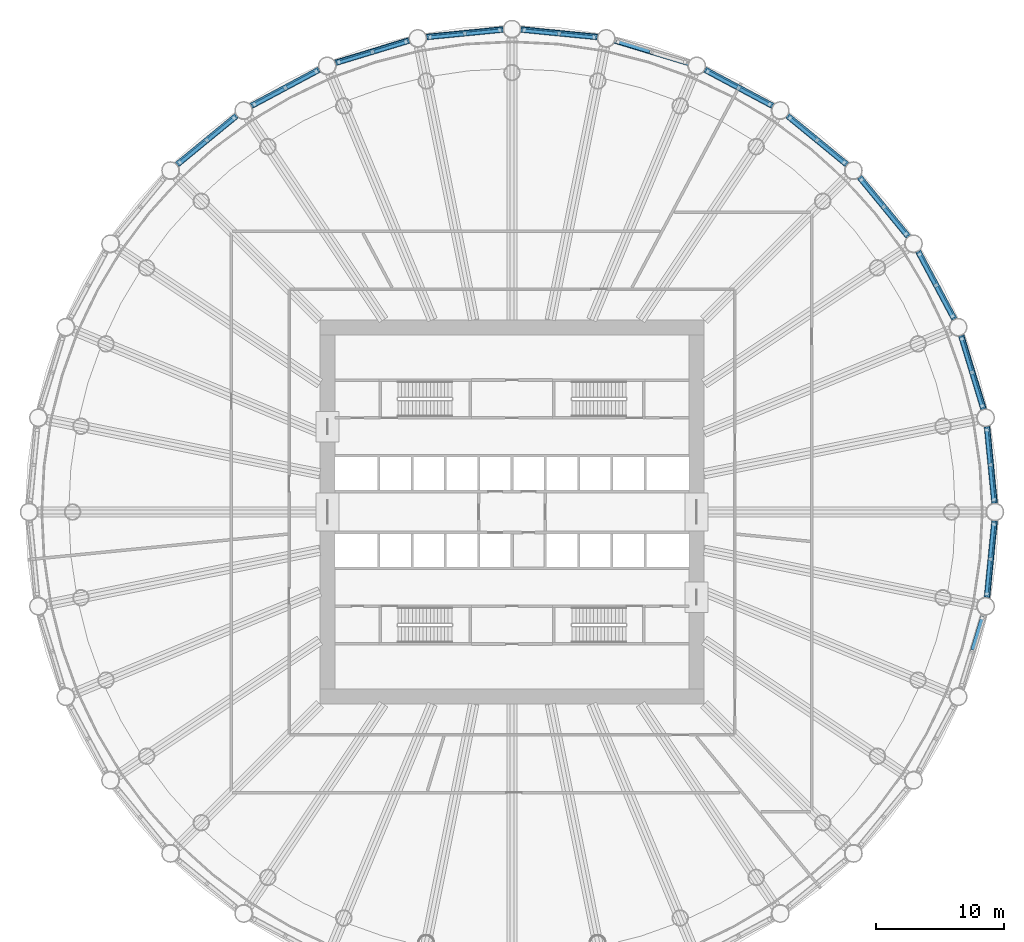
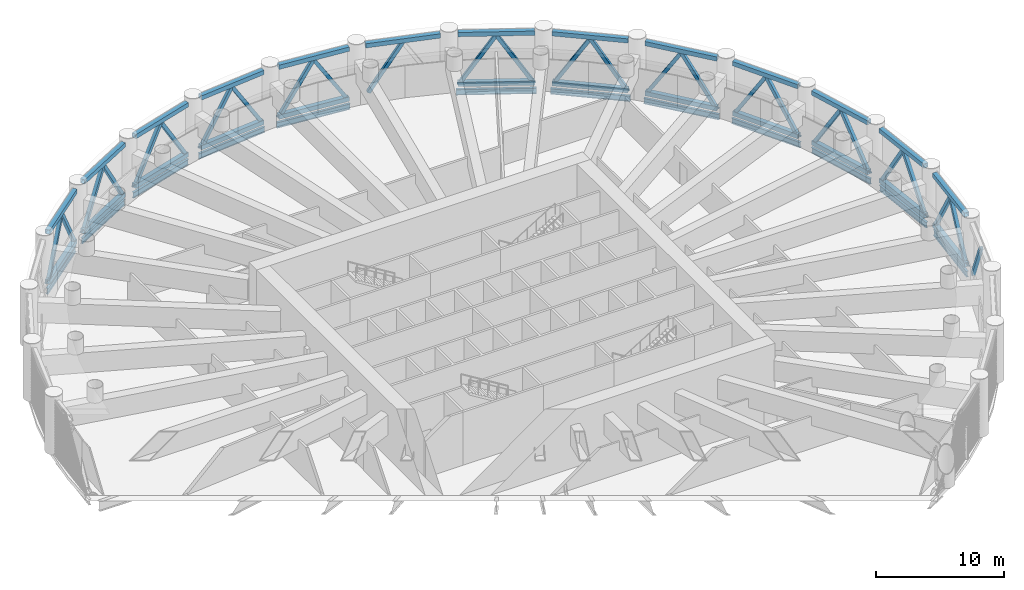
# One storey, part 4 of 26: 63 members, 12 beams, 12 elements without a shape of their own.
"""IFC4 building model written with IfcOpenShell, lengths in metres."""

import ifcopenshell
import ifcopenshell.guid

model = None  # the IFC model being written
_history = None  # IfcOwnerHistory: only IFC2X3 demands one
_inside = {}  # id of a spatial element -> (the spatial element, [elements in it])
_under = {}  # id of a project, library or spatial element -> (it, [spatial elements below it])
_declared = {}  # id of a project -> (the project, [libraries it declares])
_typed = {}  # id of a type object -> (the type object, [elements of that type])
_made_of = {}  # id of a material, layer set ... -> (it, [elements and type objects made of it])


def new_model(schema):
    """Start an empty IFC model of exactly this schema.

    Asked for "IFC4X3", IfcOpenShell would pick the latest addendum, in which some entities
    have other attributes; the version numbers below select the first issue.
    IFC2X3 requires an IfcOwnerHistory on every rooted entity: one is made here for all.
    """
    global model, _history
    if schema == "IFC4X3":
        model = ifcopenshell.file(schema_version=(4, 3, 0, 0))
    else:
        model = ifcopenshell.file(schema=schema)
    _inside.clear()
    _under.clear()
    _declared.clear()
    _typed.clear()
    _made_of.clear()
    _history = None
    if model.schema == "IFC2X3":
        org = make("IfcOrganization", Name="unknown")
        user = make(
            "IfcPersonAndOrganization",
            ThePerson=make("IfcPerson", FamilyName="unknown"),
            TheOrganization=org,
        )
        app = make(
            "IfcApplication",
            ApplicationDeveloper=org,
            Version="unknown",
            ApplicationFullName="unknown",
            ApplicationIdentifier="unknown",
        )
        _history = make(
            "IfcOwnerHistory",
            OwningUser=user,
            OwningApplication=app,
            ChangeAction="ADDED",
            CreationDate=0,
        )
    return model


def make(cls, **values):
    """One entity of the class cls with the attributes given. An attribute that is None is left unset."""
    return model.create_entity(
        cls, **{name: value for name, value in values.items() if value is not None}
    )


def rooted(cls, **values):
    """An entity with a GlobalId (a new one), such as an element, a storey or a relation."""
    return make(cls, GlobalId=ifcopenshell.guid.new(), OwnerHistory=_history, **values)


def si_unit(unit_type, name, prefix=None):
    """IfcSIUnit, for example si_unit("LENGTHUNIT", "METRE", prefix="MILLI")."""
    return make("IfcSIUnit", UnitType=unit_type, Prefix=prefix, Name=name)


def assignment(units):
    """IfcUnitAssignment: the units of a project."""
    return None if units is None else make("IfcUnitAssignment", Units=units)


def point(xyz):
    """IfcCartesianPoint."""
    return None if xyz is None else make("IfcCartesianPoint", Coordinates=xyz)


def direction(xyz):
    """IfcDirection."""
    return None if xyz is None else make("IfcDirection", DirectionRatios=xyz)


def frame(location, z_axis=None, x_axis=None):
    """IfcAxis2Placement3D, a coordinate frame: its origin and axes. An axis left out is left unset."""
    return make(
        "IfcAxis2Placement3D",
        Location=point(location),
        Axis=direction(z_axis),
        RefDirection=direction(x_axis),
    )


def frame_2d(location, x_axis=None):
    """IfcAxis2Placement2D, a coordinate frame in the plane: its origin and x axis."""
    return make(
        "IfcAxis2Placement2D", Location=point(location), RefDirection=direction(x_axis)
    )


def origin():
    """The frame at (0, 0, 0) with its axes left unset."""
    return frame((0.0, 0.0, 0.0))


def origin_2d():
    """The frame at (0, 0) in the plane with its x axis left unset."""
    return frame_2d((0.0, 0.0))


def place(relative_to, where):
    """IfcLocalPlacement: puts the frame where relative to a parent placement (None: the world)."""
    return make(
        "IfcLocalPlacement", PlacementRelTo=relative_to, RelativePlacement=where
    )


def context(
    kind, dimensions, precision=None, world=None, true_north=None, identifier=None
):
    """IfcGeometricRepresentationContext, for example the 3D "Model" context."""
    return make(
        "IfcGeometricRepresentationContext",
        ContextIdentifier=identifier,
        ContextType=kind,
        CoordinateSpaceDimension=dimensions,
        Precision=precision,
        WorldCoordinateSystem=world,
        TrueNorth=true_north,
    )


def subcontext(parent, identifier, kind, view, scale=None):
    """IfcGeometricRepresentationSubContext, for example "Body" below "Model"."""
    return make(
        "IfcGeometricRepresentationSubContext",
        ContextIdentifier=identifier,
        ContextType=kind,
        ParentContext=parent,
        TargetScale=scale,
        TargetView=view,
    )


def project(units=None, contexts=None):
    """IfcProject with its units and contexts."""
    return rooted(
        "IfcProject",
        Name="project",
        RepresentationContexts=contexts,
        UnitsInContext=assignment(units),
    )


def spatial(cls, under=None, at=None, **own):
    """A site, building, storey or space (cls), placed at a placement, below another one or the project."""
    s = rooted(cls, ObjectPlacement=at, **own)
    if under is not None:
        _under.setdefault(under.id(), (under, []))[1].append(s)
    return s


def profile(cls, at=None, kind="AREA", **sizes):
    """A parametric profile (cls). Its sizes go by their IFC names, for example OverallWidth=200.0."""
    return make(cls, ProfileType=kind, Position=at, **sizes)


def rectangle(**sizes):
    """IfcRectangleProfileDef."""
    return profile("IfcRectangleProfileDef", **sizes)


def hollow_rectangle(**sizes):
    """IfcRectangleHollowProfileDef."""
    return profile("IfcRectangleHollowProfileDef", **sizes)


def i_section(**sizes):
    """IfcIShapeProfileDef."""
    return profile("IfcIShapeProfileDef", **sizes)


def extrude(swept, where, along, depth):
    """IfcExtrudedAreaSolid: the profile swept, set in the frame where, extruded along a direction by depth."""
    return make(
        "IfcExtrudedAreaSolid",
        SweptArea=swept,
        Position=where,
        ExtrudedDirection=direction(along),
        Depth=depth,
    )


def shape(context_of_items, identifier, shape_type, items):
    """IfcShapeRepresentation: the items that make up one representation, for example the "Body"."""
    return make(
        "IfcShapeRepresentation",
        ContextOfItems=context_of_items,
        RepresentationIdentifier=identifier,
        RepresentationType=shape_type,
        Items=items,
    )


def material(Name=None, Category=None):
    """IfcMaterial."""
    return make("IfcMaterial", Name=Name, Category=Category)


def material_profile(
    of_material, cross_section, Name=None, Category=None, Priority=None
):
    """IfcMaterialProfile: a cross section and its material."""
    return make(
        "IfcMaterialProfile",
        Name=Name,
        Material=of_material,
        Profile=cross_section,
        Priority=Priority,
        Category=Category,
    )


def profile_set(profiles, Name=None, composite=None):
    """IfcMaterialProfileSet."""
    return make(
        "IfcMaterialProfileSet",
        Name=Name,
        MaterialProfiles=profiles,
        CompositeProfile=composite,
    )


def made_of(thing, what):
    """Note that an element or type object is made of a material, layer set ...; save() writes the relation."""
    if what is not None:
        _made_of.setdefault(what.id(), (what, []))[1].append(thing)
    return thing


def type_object(cls, material=None, **own):
    """A type object (cls), such as IfcWallType, which elements share."""
    return made_of(rooted(cls, **own), material)


def element(
    cls,
    number,
    at=None,
    inside=None,
    cuts=None,
    type_object=None,
    material=None,
    context=None,
    identifier="Body",
    shape_type=None,
    held_by="IfcProductDefinitionShape",
    body=None,
    shapes=None,
    **own,
):
    """One element of the class cls, such as IfcWall. Its Tag is "e" and its number.

    at: its placement. inside: the storey or other place that contains it. cuts: it is an
    opening in that element (IfcRelVoidsElement). A single representation is given by context,
    identifier, shape_type and body (its items); several are given by shapes. held_by: the class
    of the entity that holds the representations. save() writes the other relations.
    """
    e = rooted(cls, Tag="e%d" % number, ObjectPlacement=at, **own)
    if body is not None:
        shapes = [shape(context, identifier, shape_type, body)]
    if shapes is not None:
        e.Representation = make(held_by, Representations=shapes)
    if inside is not None:
        _inside.setdefault(inside.id(), (inside, []))[1].append(e)
    if cuts is not None:
        rooted(
            "IfcRelVoidsElement", RelatingBuildingElement=cuts, RelatedOpeningElement=e
        )
    if type_object is not None:
        _typed.setdefault(type_object.id(), (type_object, []))[1].append(e)
    return made_of(e, material)


def aggregate(whole, parts):
    """IfcRelAggregates: a whole, such as a stair, and the parts it consists of."""
    return rooted("IfcRelAggregates", RelatingObject=whole, RelatedObjects=parts)


def save(model, path):
    """Write the relations noted so far, then the file.

    IfcRelAggregates (storeys below a building ...), IfcRelContainedInSpatialStructure (elements
    in a storey), IfcRelDefinesByType, IfcRelAssociatesMaterial and IfcRelDeclares: one each for
    every whole, place, type object, material and project.
    """
    for whole, parts in _under.values():
        aggregate(whole, parts)
    for where, things in _inside.values():
        rooted(
            "IfcRelContainedInSpatialStructure",
            RelatedElements=things,
            RelatingStructure=where,
        )
    for kind, things in _typed.values():
        rooted("IfcRelDefinesByType", RelatedObjects=things, RelatingType=kind)
    for what, things in _made_of.values():
        rooted("IfcRelAssociatesMaterial", RelatedObjects=things, RelatingMaterial=what)
    for by, libraries in _declared.values():
        rooted("IfcRelDeclares", RelatingContext=by, RelatedDefinitions=libraries)
    model.write(path)


model = new_model("IFC4")

# Units and contexts
model_context = context("Model", 3, precision=1e-05, world=origin(), true_north=direction((0.0, 1.0)))
body_context = subcontext(model_context, "Body", "Model", "MODEL_VIEW")
ifc_project = project(units=[si_unit("LENGTHUNIT", "METRE"), si_unit("AREAUNIT", "SQUARE_METRE"), si_unit("VOLUMEUNIT", "CUBIC_METRE"), si_unit("PLANEANGLEUNIT", "RADIAN"), si_unit("MASSUNIT", "GRAM", prefix="KILO")], contexts=[model_context])

# Site, building, storey
site_placement = place(None, origin())
site = spatial("IfcSite", under=ifc_project, at=site_placement, CompositionType="ELEMENT")
building_placement = place(site_placement, origin())
building = spatial("IfcBuilding", under=site, at=building_placement, Name="Corvane Civic Tower", CompositionType="ELEMENT")
storey_placement = place(building_placement, frame((0.0, 0.0, 85.0)))
storey = spatial("IfcBuildingStorey", under=building, at=storey_placement, Name="L19", CompositionType="ELEMENT", Elevation=85.0)

# Members
ifc_material_1 = material(Name="Steel ASTM A500 Gr C", Category="steel")
ifc_material_profile_1 = material_profile(ifc_material_1, hollow_rectangle(XDim=0.406494140625, YDim=0.406494140625, WallThickness=0.0146484375, at=origin_2d()), Name="HSS16X16X5/8")
ifc_profile_set_1 = profile_set([ifc_material_profile_1], Name="Steel ASTM A500 Gr C")
member_type_1 = type_object("IfcMemberType", Name="BELT CHORD HSS16X16X5/8", PredefinedType="CHORD", material=ifc_profile_set_1)
for number, where, z_axis, x_axis, name in (
    (1, (0.696533203125, 37.63134765625, 4.94677734375), (0.995185362969, -0.098010679686, 0.0), (0.098010679686, 0.995185362969, 0.0), "Belt truss BT-L19"),
    (2, (0.696533203125, 37.63134765625, 0.203125), (0.995185362969, -0.098010679686, 0.0), (0.098010679686, 0.995185362969, 0.0), "Belt truss BT-L19"),
):
    element("IfcMember", number, at=place(storey_placement, frame(where, z_axis=z_axis, x_axis=x_axis)), inside=storey, type_object=member_type_1, Name=name, PredefinedType="CHORD", context=body_context, shape_type="SweptSolid", body=[
        extrude(hollow_rectangle(XDim=0.406494140625, YDim=0.406494140625, WallThickness=0.0146484375, at=origin_2d()), origin(), (0.0, 0.0, 1.0), 5.99072265625),
    ])
member_1_placement = place(storey_placement, frame((8.02490234375, 36.7724609375, 4.94677734375), z_axis=(0.956935582172, -0.290300347181, 0.0), x_axis=(0.290300347181, 0.956935582172, 0.0)))
element("IfcMember", 3, at=member_1_placement, inside=storey, type_object=member_type_1, Name="Belt truss BT-L19", PredefinedType="CHORD", context=body_context, shape_type="SweptSolid", body=[
    extrude(hollow_rectangle(XDim=0.406494140625, YDim=0.406494140625, WallThickness=0.0146484375, at=origin_2d()), origin(), (0.0, 0.0, 1.0), 5.990478515625),
])
for number, where, z_axis, x_axis, name in (
    (4, (15.044677734375, 34.500244140625, 4.94677734375), (0.881926118213, -0.471387655772, 0.0), (0.471387655772, 0.881926118213, 0.0), "Belt truss BT-L19"),
    (5, (15.044677734375, 34.500244140625, 0.203125), (0.881926118213, -0.471387655772, 0.0), (0.471387655772, 0.881926118213, 0.0), "Belt truss BT-L19"),
):
    element("IfcMember", number, at=place(storey_placement, frame(where, z_axis=z_axis, x_axis=x_axis)), inside=storey, type_object=member_type_1, Name=name, PredefinedType="CHORD", context=body_context, shape_type="SweptSolid", body=[
        extrude(hollow_rectangle(XDim=0.406494140625, YDim=0.406494140625, WallThickness=0.0146484375, at=origin_2d()), origin(), (0.0, 0.0, 1.0), 5.990234375),
    ])
for number, where, z_axis, x_axis, name in (
    (6, (21.486083984375, 30.90234375, 4.94677734375), (0.773023150081, -0.634377812851, 0.0), (0.634377812851, 0.773023150081, 0.0), "Belt truss BT-L19"),
    (7, (21.486083984375, 30.90234375, 0.203125), (0.773023150081, -0.634377812851, 0.0), (0.634377812851, 0.773023150081, 0.0), "Belt truss BT-L19"),
    (8, (27.10205078125, 26.116943359375, 4.94677734375), (0.634377812851, -0.773023150081, 0.0), (0.773023150081, 0.634377812851, 0.0), "Belt truss BT-L19"),
    (9, (27.10205078125, 26.116943359375, 0.203125), (0.634377812851, -0.773023150081, 0.0), (0.773023150081, 0.634377812851, 0.0), "Belt truss BT-L19"),
):
    element("IfcMember", number, at=place(storey_placement, frame(where, z_axis=z_axis, x_axis=x_axis)), inside=storey, type_object=member_type_1, Name=name, PredefinedType="CHORD", context=body_context, shape_type="SweptSolid", body=[
        extrude(hollow_rectangle(XDim=0.406494140625, YDim=0.406494140625, WallThickness=0.0146484375, at=origin_2d()), origin(), (0.0, 0.0, 1.0), 5.990478515625),
    ])
for number, where, z_axis, x_axis, name in (
    (10, (31.676513671875, 20.32763671875, 4.94677734375), (0.471387655772, -0.881926118213, 0.0), (0.881926118213, 0.471387655772, 0.0), "Belt truss BT-L19"),
    (11, (31.676513671875, 20.32763671875, 0.203125), (0.471387655772, -0.881926118213, 0.0), (0.881926118213, 0.471387655772, 0.0), "Belt truss BT-L19"),
):
    element("IfcMember", number, at=place(storey_placement, frame(where, z_axis=z_axis, x_axis=x_axis)), inside=storey, type_object=member_type_1, Name=name, PredefinedType="CHORD", context=body_context, shape_type="SweptSolid", body=[
        extrude(hollow_rectangle(XDim=0.406494140625, YDim=0.406494140625, WallThickness=0.0146484375, at=origin_2d()), origin(), (0.0, 0.0, 1.0), 5.990234375),
    ])
for number, where, z_axis, x_axis, name in (
    (12, (35.033447265625, 13.75732421875, 4.94677734375), (0.290300347181, -0.956935582172, 0.0), (0.956935582172, 0.290300347181, 0.0), "Belt truss BT-L19"),
    (13, (35.033447265625, 13.75732421875, 0.203125), (0.290300347181, -0.956935582172, 0.0), (0.956935582172, 0.290300347181, 0.0), "Belt truss BT-L19"),
):
    element("IfcMember", number, at=place(storey_placement, frame(where, z_axis=z_axis, x_axis=x_axis)), inside=storey, type_object=member_type_1, Name=name, PredefinedType="CHORD", context=body_context, shape_type="SweptSolid", body=[
        extrude(hollow_rectangle(XDim=0.406494140625, YDim=0.406494140625, WallThickness=0.0146484375, at=origin_2d()), origin(), (0.0, 0.0, 1.0), 5.990478515625),
    ])
for number, where, z_axis, x_axis, name in (
    (14, (37.044189453125, 6.658447265625, 4.94677734375), (0.098010679686, -0.995185362969, 0.0), (0.995185362969, 0.098010679686, 0.0), "Belt truss BT-L19"),
    (15, (37.044189453125, 6.658447265625, 0.203125), (0.098010679686, -0.995185362969, 0.0), (0.995185362969, 0.098010679686, 0.0), "Belt truss BT-L19"),
    (16, (37.63134765625, -0.696533203125, 4.94677734375), (-0.098010679686, -0.995185362969, 0.0), (0.995185362969, -0.098010679686, 0.0), "Belt truss BT-L19"),
    (17, (37.63134765625, -0.696533203125, 0.203125), (-0.098010679686, -0.995185362969, 0.0), (0.995185362969, -0.098010679686, 0.0), "Belt truss BT-L19"),
):
    element("IfcMember", number, at=place(storey_placement, frame(where, z_axis=z_axis, x_axis=x_axis)), inside=storey, type_object=member_type_1, Name=name, PredefinedType="CHORD", context=body_context, shape_type="SweptSolid", body=[
        extrude(hollow_rectangle(XDim=0.406494140625, YDim=0.406494140625, WallThickness=0.0146484375, at=origin_2d()), origin(), (0.0, 0.0, 1.0), 5.99072265625),
    ])
for number, where, z_axis, x_axis, name in (
    (18, (-26.116943359375, 27.10205078125, 4.94677734375), (0.773023150081, 0.634377812851, 0.0), (-0.634377812851, 0.773023150081, 0.0), "Belt truss BT-L19"),
    (19, (-26.116943359375, 27.10205078125, 0.203125), (0.773023150081, 0.634377812851, 0.0), (-0.634377812851, 0.773023150081, 0.0), "Belt truss BT-L19"),
):
    element("IfcMember", number, at=place(storey_placement, frame(where, z_axis=z_axis, x_axis=x_axis)), inside=storey, type_object=member_type_1, Name=name, PredefinedType="CHORD", context=body_context, shape_type="SweptSolid", body=[
        extrude(hollow_rectangle(XDim=0.406494140625, YDim=0.406494140625, WallThickness=0.0146484375, at=origin_2d()), origin(), (0.0, 0.0, 1.0), 5.990478515625),
    ])
for number, where, z_axis, x_axis, name in (
    (20, (-20.32763671875, 31.676513671875, 4.94677734375), (0.881926118213, 0.471387655772, 0.0), (-0.471387655772, 0.881926118213, 0.0), "Belt truss BT-L19"),
    (21, (-20.32763671875, 31.676513671875, 0.203125), (0.881926118213, 0.471387655772, 0.0), (-0.471387655772, 0.881926118213, 0.0), "Belt truss BT-L19"),
):
    element("IfcMember", number, at=place(storey_placement, frame(where, z_axis=z_axis, x_axis=x_axis)), inside=storey, type_object=member_type_1, Name=name, PredefinedType="CHORD", context=body_context, shape_type="SweptSolid", body=[
        extrude(hollow_rectangle(XDim=0.406494140625, YDim=0.406494140625, WallThickness=0.0146484375, at=origin_2d()), origin(), (0.0, 0.0, 1.0), 5.990234375),
    ])
for number, where, z_axis, x_axis, name in (
    (22, (-13.75732421875, 35.033447265625, 4.94677734375), (0.956935582172, 0.290300347181, 0.0), (-0.290300347181, 0.956935582172, 0.0), "Belt truss BT-L19"),
    (23, (-13.75732421875, 35.033447265625, 0.203125), (0.956935582172, 0.290300347181, 0.0), (-0.290300347181, 0.956935582172, 0.0), "Belt truss BT-L19"),
):
    element("IfcMember", number, at=place(storey_placement, frame(where, z_axis=z_axis, x_axis=x_axis)), inside=storey, type_object=member_type_1, Name=name, PredefinedType="CHORD", context=body_context, shape_type="SweptSolid", body=[
        extrude(hollow_rectangle(XDim=0.406494140625, YDim=0.406494140625, WallThickness=0.0146484375, at=origin_2d()), origin(), (0.0, 0.0, 1.0), 5.990478515625),
    ])
for number, where, z_axis, x_axis, name in (
    (24, (-6.658447265625, 37.044189453125, 4.94677734375), (0.995185362969, 0.098010679686, 0.0), (-0.098010679686, 0.995185362969, 0.0), "Belt truss BT-L19"),
    (25, (-6.658447265625, 37.044189453125, 0.203125), (0.995185362969, 0.098010679686, 0.0), (-0.098010679686, 0.995185362969, 0.0), "Belt truss BT-L19"),
):
    element("IfcMember", number, at=place(storey_placement, frame(where, z_axis=z_axis, x_axis=x_axis)), inside=storey, type_object=member_type_1, Name=name, PredefinedType="CHORD", context=body_context, shape_type="SweptSolid", body=[
        extrude(hollow_rectangle(XDim=0.406494140625, YDim=0.406494140625, WallThickness=0.0146484375, at=origin_2d()), origin(), (0.0, 0.0, 1.0), 5.99072265625),
    ])
ifc_material_2 = material(Name="Steel ASTM A500 Gr C", Category="steel")
ifc_material_profile_2 = material_profile(ifc_material_2, hollow_rectangle(XDim=0.3046875, YDim=0.3046875, WallThickness=0.01171875, at=origin_2d()), Name="HSS12X12X1/2")
ifc_profile_set_2 = profile_set([ifc_material_profile_2], Name="Steel ASTM A500 Gr C")
member_type_2 = type_object("IfcMemberType", Name="BELT DIAGONAL HSS12X12X1/2", PredefinedType="BRACE", material=ifc_profile_set_2)
for number, where, z_axis, x_axis, name in (
    (26, (0.9453125, 37.60693359375, 0.406494140625), (0.532272619983, -0.052413942205, 0.844948895898), (0.097998002481, 0.9951866114, 0.0), "Belt truss BT-L19"),
    (27, (6.40966796875, 37.068603515625, 0.406494140625), (-0.532271292461, 0.052461373924, 0.844946788542), (-0.098086074712, -0.995177934817, 0.0), "Belt truss BT-L19"),
    (28, (8.26416015625, 36.699951171875, 0.406494140625), (0.511781874141, -0.155294406977, 0.844963289417), (0.290365274905, 0.956915882996, 0.0), "Belt truss BT-L19"),
    (29, (15.26513671875, 34.382568359375, 0.406494140625), (0.471680795624, -0.252130674357, 0.844954052057), (0.47141424069, 0.881911908115, 0.0), "Belt truss BT-L19"),
):
    element("IfcMember", number, at=place(storey_placement, frame(where, z_axis=z_axis, x_axis=x_axis)), inside=storey, type_object=member_type_2, Name=name, PredefinedType="BRACE", context=body_context, shape_type="SweptSolid", body=[
        extrude(hollow_rectangle(XDim=0.3046875, YDim=0.3046875, WallThickness=0.01171875, at=origin_2d()), origin(), (0.0, 0.0, 1.0), 5.133056640625),
    ])
for number, where, z_axis, x_axis, name in (
    (30, (20.107177734375, 31.794189453125, 0.406494140625), (-0.471643813443, 0.252136330684, 0.844973007847), (-0.471451215163, -0.881892142907, 0.0), "Belt truss BT-L19"),
    (31, (21.679443359375, 30.74365234375, 0.406494140625), (0.413424223183, -0.339272317529, 0.844970239857), (0.634375212776, 0.773025283814, 0.0), "Belt truss BT-L19"),
    (32, (25.923583984375, 27.2607421875, 0.406494140625), (-0.413424223183, 0.339272317529, 0.844970239857), (-0.634375212776, -0.773025283814, 0.0), "Belt truss BT-L19"),
    (33, (27.2607421875, 25.923583984375, 0.406494140625), (0.339272317529, -0.413424223183, 0.844970239857), (0.773025283814, 0.634375212776, 0.0), "Belt truss BT-L19"),
    (34, (30.74365234375, 21.679443359375, 0.406494140625), (-0.339272317529, 0.413424223183, 0.844970239857), (-0.773025283814, -0.634375212776, 0.0), "Belt truss BT-L19"),
    (35, (31.794189453125, 20.107177734375, 0.406494140625), (0.252136330684, -0.471643813443, 0.844973007847), (0.881892142907, 0.471451215163, 0.0), "Belt truss BT-L19"),
):
    element("IfcMember", number, at=place(storey_placement, frame(where, z_axis=z_axis, x_axis=x_axis)), inside=storey, type_object=member_type_2, Name=name, PredefinedType="BRACE", context=body_context, shape_type="SweptSolid", body=[
        extrude(hollow_rectangle(XDim=0.3046875, YDim=0.3046875, WallThickness=0.01171875, at=origin_2d()), origin(), (0.0, 0.0, 1.0), 5.1328125),
    ])
member_2_placement = place(storey_placement, frame((34.382568359375, 15.26513671875, 0.406494140625), z_axis=(-0.252130674357, 0.471680795624, 0.844954052057), x_axis=(-0.881911908115, -0.47141424069, 0.0)))
element("IfcMember", 36, at=member_2_placement, inside=storey, type_object=member_type_2, Name="Belt truss BT-L19", PredefinedType="BRACE", context=body_context, shape_type="SweptSolid", body=[
    extrude(hollow_rectangle(XDim=0.3046875, YDim=0.3046875, WallThickness=0.01171875, at=origin_2d()), origin(), (0.0, 0.0, 1.0), 5.133056640625),
])
member_3_placement = place(storey_placement, frame((35.106201171875, 13.51806640625, 0.406494140625), z_axis=(0.155201572288, -0.511789432368, 0.844975768218), x_axis=(0.956965292503, 0.290202393071, 0.0)))
element("IfcMember", 37, at=member_3_placement, inside=storey, type_object=member_type_2, Name="Belt truss BT-L19", PredefinedType="BRACE", context=body_context, shape_type="SweptSolid", body=[
    extrude(hollow_rectangle(XDim=0.3046875, YDim=0.3046875, WallThickness=0.01171875, at=origin_2d()), origin(), (0.0, 0.0, 1.0), 5.1328125),
])
for number, where, z_axis, x_axis, name in (
    (38, (36.699951171875, 8.26416015625, 0.406494140625), (-0.155294406977, 0.511781874141, 0.844963289417), (-0.956915882996, -0.290365274905, 0.0), "Belt truss BT-L19"),
    (39, (37.068603515625, 6.40966796875, 0.406494140625), (0.052461373924, -0.532271292461, 0.844946788542), (0.995177934817, 0.098086074712, 0.0), "Belt truss BT-L19"),
    (40, (37.60693359375, 0.9453125, 0.406494140625), (-0.052413942205, 0.532272619983, 0.844948895898), (-0.9951866114, -0.097998002481, 0.0), "Belt truss BT-L19"),
    (41, (37.60693359375, -0.9453125, 0.406494140625), (-0.052413942205, -0.532272619983, 0.844948895898), (0.9951866114, -0.097998002481, 0.0), "Belt truss BT-L19"),
    (42, (37.068603515625, -6.40966796875, 0.406494140625), (0.052461373924, 0.532271292461, 0.844946788542), (-0.995177934817, 0.098086074712, 0.0), "Belt truss BT-L19"),
    (43, (36.699951171875, -8.26416015625, 0.406494140625), (-0.155294406977, -0.511781874141, 0.844963289417), (0.956915882996, -0.290365274905, 0.0), "Belt truss BT-L19"),
):
    element("IfcMember", number, at=place(storey_placement, frame(where, z_axis=z_axis, x_axis=x_axis)), inside=storey, type_object=member_type_2, Name=name, PredefinedType="BRACE", context=body_context, shape_type="SweptSolid", body=[
        extrude(hollow_rectangle(XDim=0.3046875, YDim=0.3046875, WallThickness=0.01171875, at=origin_2d()), origin(), (0.0, 0.0, 1.0), 5.133056640625),
    ])
for number, where, z_axis, x_axis, name in (
    (44, (-25.923583984375, 27.2607421875, 0.406494140625), (0.413424223183, 0.339272317529, 0.844970239857), (-0.634375212776, 0.773025283814, 0.0), "Belt truss BT-L19"),
    (45, (-21.679443359375, 30.74365234375, 0.406494140625), (-0.413424223183, -0.339272317529, 0.844970239857), (0.634375212776, -0.773025283814, 0.0), "Belt truss BT-L19"),
    (46, (-20.107177734375, 31.794189453125, 0.406494140625), (0.471643813443, 0.252136330684, 0.844973007847), (-0.471451215163, 0.881892142907, 0.0), "Belt truss BT-L19"),
):
    element("IfcMember", number, at=place(storey_placement, frame(where, z_axis=z_axis, x_axis=x_axis)), inside=storey, type_object=member_type_2, Name=name, PredefinedType="BRACE", context=body_context, shape_type="SweptSolid", body=[
        extrude(hollow_rectangle(XDim=0.3046875, YDim=0.3046875, WallThickness=0.01171875, at=origin_2d()), origin(), (0.0, 0.0, 1.0), 5.1328125),
    ])
member_4_placement = place(storey_placement, frame((-15.26513671875, 34.382568359375, 0.406494140625), z_axis=(-0.471680795624, -0.252130674357, 0.844954052057), x_axis=(0.47141424069, -0.881911908115, 0.0)))
element("IfcMember", 47, at=member_4_placement, inside=storey, type_object=member_type_2, Name="Belt truss BT-L19", PredefinedType="BRACE", context=body_context, shape_type="SweptSolid", body=[
    extrude(hollow_rectangle(XDim=0.3046875, YDim=0.3046875, WallThickness=0.01171875, at=origin_2d()), origin(), (0.0, 0.0, 1.0), 5.133056640625),
])
member_5_placement = place(storey_placement, frame((-13.51806640625, 35.106201171875, 0.406494140625), z_axis=(0.511789432368, 0.155201572288, 0.844975768218), x_axis=(-0.290202393071, 0.956965292503, 0.0)))
element("IfcMember", 48, at=member_5_placement, inside=storey, type_object=member_type_2, Name="Belt truss BT-L19", PredefinedType="BRACE", context=body_context, shape_type="SweptSolid", body=[
    extrude(hollow_rectangle(XDim=0.3046875, YDim=0.3046875, WallThickness=0.01171875, at=origin_2d()), origin(), (0.0, 0.0, 1.0), 5.1328125),
])
for number, where, z_axis, x_axis, name in (
    (49, (-8.26416015625, 36.699951171875, 0.406494140625), (-0.511781874141, -0.155294406977, 0.844963289417), (0.290365274905, -0.956915882996, 0.0), "Belt truss BT-L19"),
    (50, (-6.40966796875, 37.068603515625, 0.406494140625), (0.532271292461, 0.052461373924, 0.844946788542), (-0.098086074712, 0.995177934817, 0.0), "Belt truss BT-L19"),
    (51, (-0.9453125, 37.60693359375, 0.406494140625), (-0.532272619983, -0.052413942205, 0.844948895898), (0.097998002481, -0.9951866114, 0.0), "Belt truss BT-L19"),
):
    element("IfcMember", number, at=place(storey_placement, frame(where, z_axis=z_axis, x_axis=x_axis)), inside=storey, type_object=member_type_2, Name=name, PredefinedType="BRACE", context=body_context, shape_type="SweptSolid", body=[
        extrude(hollow_rectangle(XDim=0.3046875, YDim=0.3046875, WallThickness=0.01171875, at=origin_2d()), origin(), (0.0, 0.0, 1.0), 5.133056640625),
    ])

# Beams
ifc_material_3 = material(Name="Steel ASTM A992 Gr 50", Category="steel")
ifc_material_profile_3 = material_profile(ifc_material_3, i_section(OverallWidth=0.209228515625, OverallDepth=0.533447265625, WebThickness=0.01025390625, FlangeThickness=0.015625, at=origin_2d()), Name="W21X62")
ifc_profile_set_3 = profile_set([ifc_material_profile_3], Name="Steel ASTM A992 Gr 50")
beam_type = type_object("IfcBeamType", Name="EDGE BEAM W21X62", PredefinedType="BEAM", material=ifc_profile_set_3)
beam_1_placement = place(storey_placement, frame((0.54736328125, 37.64599609375, -0.61669921875), z_axis=(0.995186682089, -0.097997284622, 0.0), x_axis=(0.097997284622, 0.995186682089, 0.0)))
element("IfcBeam", 52, at=beam_1_placement, inside=storey, type_object=beam_type, Name="BM-L19-E01", PredefinedType="BEAM", context=body_context, shape_type="SweptSolid", body=[
    extrude(i_section(OverallWidth=0.209228515625, OverallDepth=0.533447265625, WebThickness=0.01025390625, FlangeThickness=0.015625, at=origin_2d()), origin(), (0.0, 0.0, 1.0), 6.29052734375),
])
beam_2_placement = place(storey_placement, frame((14.912353515625, 34.571044921875, -0.61669921875), z_axis=(0.881916367906, -0.471405897311, 0.0), x_axis=(0.471405897311, 0.881916367906, 0.0)))
element("IfcBeam", 53, at=beam_2_placement, inside=storey, type_object=beam_type, Name="BM-L19-E03", PredefinedType="BEAM", context=body_context, shape_type="SweptSolid", body=[
    extrude(i_section(OverallWidth=0.209228515625, OverallDepth=0.533447265625, WebThickness=0.01025390625, FlangeThickness=0.015625, at=origin_2d()), origin(), (0.0, 0.0, 1.0), 6.290283203125),
])
for number, where, z_axis, x_axis, name in (
    (54, (21.3701171875, 30.99755859375, -0.61669921875), (0.773015785286, -0.634386787141, 0.0), (0.634386787141, 0.773015785286, 0.0), "BM-L19-E04"),
    (55, (27.0068359375, 26.23291015625, -0.61669921875), (0.634386787141, -0.773015785286, 0.0), (0.773015785286, 0.634386787141, 0.0), "BM-L19-E05"),
):
    element("IfcBeam", number, at=place(storey_placement, frame(where, z_axis=z_axis, x_axis=x_axis)), inside=storey, type_object=beam_type, Name=name, PredefinedType="BEAM", context=body_context, shape_type="SweptSolid", body=[
        extrude(i_section(OverallWidth=0.209228515625, OverallDepth=0.533447265625, WebThickness=0.01025390625, FlangeThickness=0.015625, at=origin_2d()), origin(), (0.0, 0.0, 1.0), 6.290771484375),
    ])
for number, where, z_axis, x_axis, name in (
    (56, (31.605712890625, 20.4599609375, -0.61669921875), (0.471405897311, -0.881916367906, 0.0), (0.881916367906, 0.471405897311, 0.0), "BM-L19-E06"),
    (57, (34.989990234375, 13.90087890625, -0.61669921875), (0.290273452184, -0.956943740748, 0.0), (0.956943740748, 0.290273452184, 0.0), "BM-L19-E07"),
):
    element("IfcBeam", number, at=place(storey_placement, frame(where, z_axis=z_axis, x_axis=x_axis)), inside=storey, type_object=beam_type, Name=name, PredefinedType="BEAM", context=body_context, shape_type="SweptSolid", body=[
        extrude(i_section(OverallWidth=0.209228515625, OverallDepth=0.533447265625, WebThickness=0.01025390625, FlangeThickness=0.015625, at=origin_2d()), origin(), (0.0, 0.0, 1.0), 6.290283203125),
    ])
for number, where, z_axis, x_axis, name in (
    (58, (37.029541015625, 6.8076171875, -0.61669921875), (0.097997284622, -0.995186682089, 0.0), (0.995186682089, 0.097997284622, 0.0), "BM-L19-E08"),
    (59, (37.64599609375, -0.54736328125, -0.61669921875), (-0.097997284622, -0.995186682089, 0.0), (0.995186682089, -0.097997284622, 0.0), "BM-L19-E09"),
):
    element("IfcBeam", number, at=place(storey_placement, frame(where, z_axis=z_axis, x_axis=x_axis)), inside=storey, type_object=beam_type, Name=name, PredefinedType="BEAM", context=body_context, shape_type="SweptSolid", body=[
        extrude(i_section(OverallWidth=0.209228515625, OverallDepth=0.533447265625, WebThickness=0.01025390625, FlangeThickness=0.015625, at=origin_2d()), origin(), (0.0, 0.0, 1.0), 6.29052734375),
    ])
beam_3_placement = place(storey_placement, frame((-26.23291015625, 27.0068359375, -0.61669921875), z_axis=(0.773015785286, 0.634386787141, 0.0), x_axis=(-0.634386787141, 0.773015785286, 0.0)))
element("IfcBeam", 60, at=beam_3_placement, inside=storey, type_object=beam_type, Name="BM-L19-E29", PredefinedType="BEAM", context=body_context, shape_type="SweptSolid", body=[
    extrude(i_section(OverallWidth=0.209228515625, OverallDepth=0.533447265625, WebThickness=0.01025390625, FlangeThickness=0.015625, at=origin_2d()), origin(), (0.0, 0.0, 1.0), 6.290771484375),
])
for number, where, z_axis, x_axis, name in (
    (61, (-20.4599609375, 31.605712890625, -0.61669921875), (0.881916367906, 0.471405897311, 0.0), (-0.471405897311, 0.881916367906, 0.0), "BM-L19-E30"),
    (62, (-13.90087890625, 34.989990234375, -0.61669921875), (0.956943740748, 0.290273452184, 0.0), (-0.290273452184, 0.956943740748, 0.0), "BM-L19-E31"),
):
    element("IfcBeam", number, at=place(storey_placement, frame(where, z_axis=z_axis, x_axis=x_axis)), inside=storey, type_object=beam_type, Name=name, PredefinedType="BEAM", context=body_context, shape_type="SweptSolid", body=[
        extrude(i_section(OverallWidth=0.209228515625, OverallDepth=0.533447265625, WebThickness=0.01025390625, FlangeThickness=0.015625, at=origin_2d()), origin(), (0.0, 0.0, 1.0), 6.290283203125),
    ])
beam_4_placement = place(storey_placement, frame((-6.8076171875, 37.029541015625, -0.61669921875), z_axis=(0.995186682089, 0.097997284622, 0.0), x_axis=(-0.097997284622, 0.995186682089, 0.0)))
element("IfcBeam", 63, at=beam_4_placement, inside=storey, type_object=beam_type, Name="BM-L19-E32", PredefinedType="BEAM", context=body_context, shape_type="SweptSolid", body=[
    extrude(i_section(OverallWidth=0.209228515625, OverallDepth=0.533447265625, WebThickness=0.01025390625, FlangeThickness=0.015625, at=origin_2d()), origin(), (0.0, 0.0, 1.0), 6.29052734375),
])

# Curtain wall, member
ifc_material_4 = material(Name="Anodised aluminium bronze", Category="aluminium")
curtain_wall_type = type_object("IfcCurtainWallType", Name="TOWER CW-LV LOUVRE SCREEN WALL", PredefinedType="NOTDEFINED", material=ifc_material_4)
curtain_wall_1_placement = place(storey_placement, origin())
curtain_wall_1 = element("IfcCurtainWall", 64, at=curtain_wall_1_placement, inside=storey, type_object=curtain_wall_type, Name="Louvre screen wall CW-LV L19 bay 01", PredefinedType="NOTDEFINED")
ifc_material_5 = material(Name="Anodised aluminium bronze", Category="aluminium")
ifc_material_profile_4 = material_profile(ifc_material_5, rectangle(XDim=0.139892578125, YDim=0.1201171875, at=origin_2d()), Name="TOWER CW-LV TRANSOM 140x120")
ifc_profile_set_4 = profile_set([ifc_material_profile_4], Name="Anodised aluminium bronze")
member_type_3 = type_object("IfcMemberType", Name="TOWER CW-LV TRANSOM 140x120", PredefinedType="USERDEFINED", material=ifc_profile_set_4)
member_6_placement = place(storey_placement, frame((0.6611328125, 37.814697265625, 0.06005859375), z_axis=(0.995188262136, -0.097981237525, 0.0), x_axis=(0.097981237525, 0.995188262136, 0.0)))
member_6 = element("IfcMember", 65, at=member_6_placement, type_object=member_type_3, Name="Transom CW-LV L19 01.1", ObjectType="TRANSOM", PredefinedType="USERDEFINED", context=body_context, shape_type="SweptSolid", body=[
    extrude(rectangle(XDim=0.139892578125, YDim=0.1201171875, at=origin_2d()), origin(), (0.0, 0.0, 1.0), 6.09716796875),
])
aggregate(curtain_wall_1, [member_6])

curtain_wall_2_placement = place(storey_placement, origin())
curtain_wall_2 = element("IfcCurtainWall", 66, at=curtain_wall_2_placement, inside=storey, type_object=curtain_wall_type, Name="Louvre screen wall CW-LV L19 bay 03", PredefinedType="NOTDEFINED")
member_7_placement = place(storey_placement, frame((15.08203125, 34.683349609375, 0.06005859375), z_axis=(0.881931381664, -0.47137780817, 0.0), x_axis=(0.47137780817, 0.881931381664, 0.0)))
member_7 = element("IfcMember", 67, at=member_7_placement, type_object=member_type_3, Name="Transom CW-LV L19 03.1", ObjectType="TRANSOM", PredefinedType="USERDEFINED", context=body_context, shape_type="SweptSolid", body=[
    extrude(rectangle(XDim=0.139892578125, YDim=0.1201171875, at=origin_2d()), origin(), (0.0, 0.0, 1.0), 6.09716796875),
])
aggregate(curtain_wall_2, [member_7])

curtain_wall_3_placement = place(storey_placement, origin())
curtain_wall_3 = element("IfcCurtainWall", 68, at=curtain_wall_3_placement, inside=storey, type_object=curtain_wall_type, Name="Louvre screen wall CW-LV L19 bay 04", PredefinedType="NOTDEFINED")
member_8_placement = place(storey_placement, frame((21.55859375, 31.074462890625, 0.06005859375), z_axis=(0.77301446029, -0.634388401677, 0.0), x_axis=(0.634388401677, 0.77301446029, 0.0)))
member_8 = element("IfcMember", 69, at=member_8_placement, type_object=member_type_3, Name="Transom CW-LV L19 04.1", ObjectType="TRANSOM", PredefinedType="USERDEFINED", context=body_context, shape_type="SweptSolid", body=[
    extrude(rectangle(XDim=0.139892578125, YDim=0.1201171875, at=origin_2d()), origin(), (0.0, 0.0, 1.0), 6.09716796875),
])
aggregate(curtain_wall_3, [member_8])

curtain_wall_4_placement = place(storey_placement, origin())
curtain_wall_4 = element("IfcCurtainWall", 70, at=curtain_wall_4_placement, inside=storey, type_object=curtain_wall_type, Name="Louvre screen wall CW-LV L19 bay 05", PredefinedType="NOTDEFINED")
member_9_placement = place(storey_placement, frame((27.20654296875, 26.271728515625, 0.06005859375), z_axis=(0.634388401677, -0.77301446029, 0.0), x_axis=(0.77301446029, 0.634388401677, 0.0)))
member_9 = element("IfcMember", 71, at=member_9_placement, type_object=member_type_3, Name="Transom CW-LV L19 05.1", ObjectType="TRANSOM", PredefinedType="USERDEFINED", context=body_context, shape_type="SweptSolid", body=[
    extrude(rectangle(XDim=0.139892578125, YDim=0.1201171875, at=origin_2d()), origin(), (0.0, 0.0, 1.0), 6.09716796875),
])
aggregate(curtain_wall_4, [member_9])

curtain_wall_5_placement = place(storey_placement, origin())
curtain_wall_5 = element("IfcCurtainWall", 72, at=curtain_wall_5_placement, inside=storey, type_object=curtain_wall_type, Name="Louvre screen wall CW-LV L19 bay 06", PredefinedType="NOTDEFINED")
member_10_placement = place(storey_placement, frame((31.809326171875, 20.459228515625, 0.06005859375), z_axis=(0.47137780817, -0.881931381664, 0.0), x_axis=(0.881931381664, 0.47137780817, 0.0)))
member_10 = element("IfcMember", 73, at=member_10_placement, type_object=member_type_3, Name="Transom CW-LV L19 06.1", ObjectType="TRANSOM", PredefinedType="USERDEFINED", context=body_context, shape_type="SweptSolid", body=[
    extrude(rectangle(XDim=0.139892578125, YDim=0.1201171875, at=origin_2d()), origin(), (0.0, 0.0, 1.0), 6.09716796875),
])
aggregate(curtain_wall_5, [member_10])

curtain_wall_6_placement = place(storey_placement, origin())
curtain_wall_6 = element("IfcCurtainWall", 74, at=curtain_wall_6_placement, inside=storey, type_object=curtain_wall_type, Name="Louvre screen wall CW-LV L19 bay 07", PredefinedType="NOTDEFINED")
member_11_placement = place(storey_placement, frame((35.189453125, 13.8603515625, 0.06005859375), z_axis=(0.29027077816, -0.956944551866, 0.0), x_axis=(0.956944551866, 0.29027077816, 0.0)))
member_11 = element("IfcMember", 75, at=member_11_placement, type_object=member_type_3, Name="Transom CW-LV L19 07.1", ObjectType="TRANSOM", PredefinedType="USERDEFINED", context=body_context, shape_type="SweptSolid", body=[
    extrude(rectangle(XDim=0.139892578125, YDim=0.1201171875, at=origin_2d()), origin(), (0.0, 0.0, 1.0), 6.096923828125),
])
aggregate(curtain_wall_6, [member_11])

curtain_wall_7_placement = place(storey_placement, origin())
curtain_wall_7 = element("IfcCurtainWall", 76, at=curtain_wall_7_placement, inside=storey, type_object=curtain_wall_type, Name="Louvre screen wall CW-LV L19 bay 08", PredefinedType="NOTDEFINED")
member_12_placement = place(storey_placement, frame((37.21728515625, 6.72900390625, 0.06005859375), z_axis=(0.097981237525, -0.995188262136, 0.0), x_axis=(0.995188262136, 0.097981237525, 0.0)))
member_12 = element("IfcMember", 77, at=member_12_placement, type_object=member_type_3, Name="Transom CW-LV L19 08.1", ObjectType="TRANSOM", PredefinedType="USERDEFINED", context=body_context, shape_type="SweptSolid", body=[
    extrude(rectangle(XDim=0.139892578125, YDim=0.1201171875, at=origin_2d()), origin(), (0.0, 0.0, 1.0), 6.09716796875),
])
aggregate(curtain_wall_7, [member_12])

curtain_wall_8_placement = place(storey_placement, origin())
curtain_wall_8 = element("IfcCurtainWall", 78, at=curtain_wall_8_placement, inside=storey, type_object=curtain_wall_type, Name="Louvre screen wall CW-LV L19 bay 09", PredefinedType="NOTDEFINED")
member_13_placement = place(storey_placement, frame((37.814697265625, -0.6611328125, 0.06005859375), z_axis=(-0.097981237525, -0.995188262136, 0.0), x_axis=(0.995188262136, -0.097981237525, 0.0)))
member_13 = element("IfcMember", 79, at=member_13_placement, type_object=member_type_3, Name="Transom CW-LV L19 09.1", ObjectType="TRANSOM", PredefinedType="USERDEFINED", context=body_context, shape_type="SweptSolid", body=[
    extrude(rectangle(XDim=0.139892578125, YDim=0.1201171875, at=origin_2d()), origin(), (0.0, 0.0, 1.0), 6.09716796875),
])
aggregate(curtain_wall_8, [member_13])

curtain_wall_9_placement = place(storey_placement, origin())
curtain_wall_9 = element("IfcCurtainWall", 80, at=curtain_wall_9_placement, inside=storey, type_object=curtain_wall_type, Name="Louvre screen wall CW-LV L19 bay 29", PredefinedType="NOTDEFINED")
member_14_placement = place(storey_placement, frame((-26.271728515625, 27.20654296875, 0.06005859375), z_axis=(0.77301446029, 0.634388401677, 0.0), x_axis=(-0.634388401677, 0.77301446029, 0.0)))
member_14 = element("IfcMember", 81, at=member_14_placement, type_object=member_type_3, Name="Transom CW-LV L19 29.1", ObjectType="TRANSOM", PredefinedType="USERDEFINED", context=body_context, shape_type="SweptSolid", body=[
    extrude(rectangle(XDim=0.139892578125, YDim=0.1201171875, at=origin_2d()), origin(), (0.0, 0.0, 1.0), 6.09716796875),
])
aggregate(curtain_wall_9, [member_14])

curtain_wall_10_placement = place(storey_placement, origin())
curtain_wall_10 = element("IfcCurtainWall", 82, at=curtain_wall_10_placement, inside=storey, type_object=curtain_wall_type, Name="Louvre screen wall CW-LV L19 bay 30", PredefinedType="NOTDEFINED")
member_15_placement = place(storey_placement, frame((-20.459228515625, 31.809326171875, 0.06005859375), z_axis=(0.881931381664, 0.47137780817, 0.0), x_axis=(-0.47137780817, 0.881931381664, 0.0)))
member_15 = element("IfcMember", 83, at=member_15_placement, type_object=member_type_3, Name="Transom CW-LV L19 30.1", ObjectType="TRANSOM", PredefinedType="USERDEFINED", context=body_context, shape_type="SweptSolid", body=[
    extrude(rectangle(XDim=0.139892578125, YDim=0.1201171875, at=origin_2d()), origin(), (0.0, 0.0, 1.0), 6.09716796875),
])
aggregate(curtain_wall_10, [member_15])

curtain_wall_11_placement = place(storey_placement, origin())
curtain_wall_11 = element("IfcCurtainWall", 84, at=curtain_wall_11_placement, inside=storey, type_object=curtain_wall_type, Name="Louvre screen wall CW-LV L19 bay 31", PredefinedType="NOTDEFINED")
member_16_placement = place(storey_placement, frame((-13.8603515625, 35.189453125, 0.06005859375), z_axis=(0.956944551866, 0.29027077816, 0.0), x_axis=(-0.29027077816, 0.956944551866, 0.0)))
member_16 = element("IfcMember", 85, at=member_16_placement, type_object=member_type_3, Name="Transom CW-LV L19 31.1", ObjectType="TRANSOM", PredefinedType="USERDEFINED", context=body_context, shape_type="SweptSolid", body=[
    extrude(rectangle(XDim=0.139892578125, YDim=0.1201171875, at=origin_2d()), origin(), (0.0, 0.0, 1.0), 6.096923828125),
])
aggregate(curtain_wall_11, [member_16])

curtain_wall_12_placement = place(storey_placement, origin())
curtain_wall_12 = element("IfcCurtainWall", 86, at=curtain_wall_12_placement, inside=storey, type_object=curtain_wall_type, Name="Louvre screen wall CW-LV L19 bay 32", PredefinedType="NOTDEFINED")
member_17_placement = place(storey_placement, frame((-6.72900390625, 37.21728515625, 0.06005859375), z_axis=(0.995188262136, 0.097981237525, 0.0), x_axis=(-0.097981237525, 0.995188262136, 0.0)))
member_17 = element("IfcMember", 87, at=member_17_placement, type_object=member_type_3, Name="Transom CW-LV L19 32.1", ObjectType="TRANSOM", PredefinedType="USERDEFINED", context=body_context, shape_type="SweptSolid", body=[
    extrude(rectangle(XDim=0.139892578125, YDim=0.1201171875, at=origin_2d()), origin(), (0.0, 0.0, 1.0), 6.09716796875),
])
aggregate(curtain_wall_12, [member_17])

save(model, "model.ifc")
